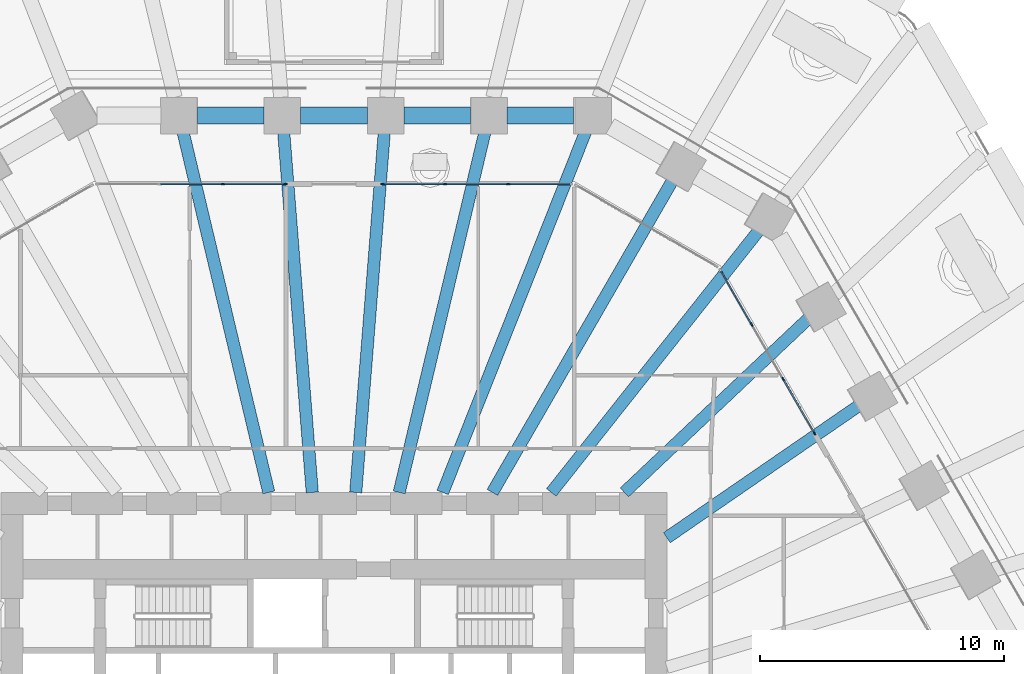
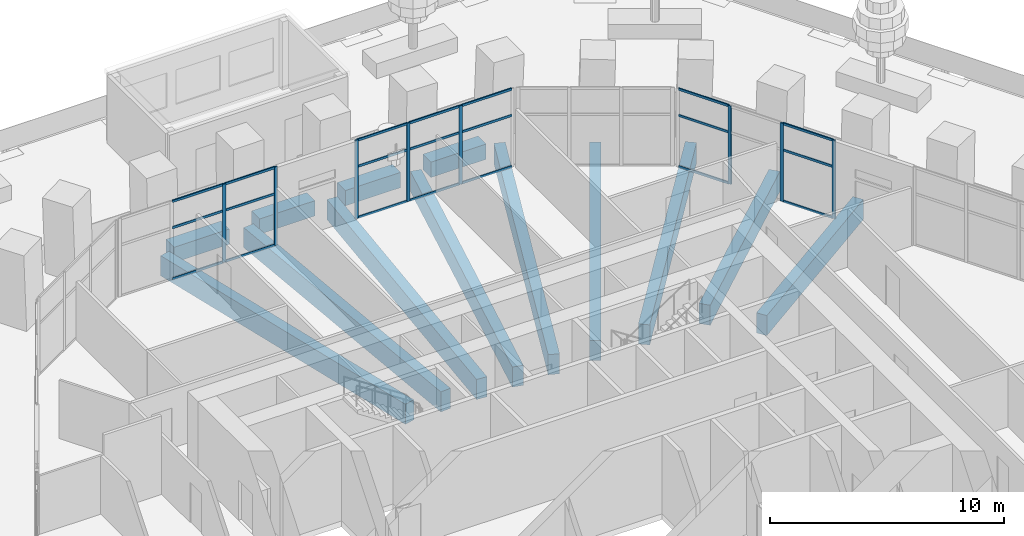
# One storey, part 14 of 32: 29 members, 13 beams, 3 elements without a shape of their own.
"""IFC4 building model written with IfcOpenShell, lengths in metres."""

import ifcopenshell
import ifcopenshell.guid

model = None  # the IFC model being written
_history = None  # IfcOwnerHistory: only IFC2X3 demands one
_inside = {}  # id of a spatial element -> (the spatial element, [elements in it])
_under = {}  # id of a project, library or spatial element -> (it, [spatial elements below it])
_declared = {}  # id of a project -> (the project, [libraries it declares])
_typed = {}  # id of a type object -> (the type object, [elements of that type])
_made_of = {}  # id of a material, layer set ... -> (it, [elements and type objects made of it])


def new_model(schema):
    """Start an empty IFC model of exactly this schema.

    Asked for "IFC4X3", IfcOpenShell would pick the latest addendum, in which some entities
    have other attributes; the version numbers below select the first issue.
    IFC2X3 requires an IfcOwnerHistory on every rooted entity: one is made here for all.
    """
    global model, _history
    if schema == "IFC4X3":
        model = ifcopenshell.file(schema_version=(4, 3, 0, 0))
    else:
        model = ifcopenshell.file(schema=schema)
    _inside.clear()
    _under.clear()
    _declared.clear()
    _typed.clear()
    _made_of.clear()
    _history = None
    if model.schema == "IFC2X3":
        org = make("IfcOrganization", Name="unknown")
        user = make(
            "IfcPersonAndOrganization",
            ThePerson=make("IfcPerson", FamilyName="unknown"),
            TheOrganization=org,
        )
        app = make(
            "IfcApplication",
            ApplicationDeveloper=org,
            Version="unknown",
            ApplicationFullName="unknown",
            ApplicationIdentifier="unknown",
        )
        _history = make(
            "IfcOwnerHistory",
            OwningUser=user,
            OwningApplication=app,
            ChangeAction="ADDED",
            CreationDate=0,
        )
    return model


def make(cls, **values):
    """One entity of the class cls with the attributes given. An attribute that is None is left unset."""
    return model.create_entity(
        cls, **{name: value for name, value in values.items() if value is not None}
    )


def rooted(cls, **values):
    """An entity with a GlobalId (a new one), such as an element, a storey or a relation."""
    return make(cls, GlobalId=ifcopenshell.guid.new(), OwnerHistory=_history, **values)


def si_unit(unit_type, name, prefix=None):
    """IfcSIUnit, for example si_unit("LENGTHUNIT", "METRE", prefix="MILLI")."""
    return make("IfcSIUnit", UnitType=unit_type, Prefix=prefix, Name=name)


def assignment(units):
    """IfcUnitAssignment: the units of a project."""
    return None if units is None else make("IfcUnitAssignment", Units=units)


def point(xyz):
    """IfcCartesianPoint."""
    return None if xyz is None else make("IfcCartesianPoint", Coordinates=xyz)


def direction(xyz):
    """IfcDirection."""
    return None if xyz is None else make("IfcDirection", DirectionRatios=xyz)


def frame(location, z_axis=None, x_axis=None):
    """IfcAxis2Placement3D, a coordinate frame: its origin and axes. An axis left out is left unset."""
    return make(
        "IfcAxis2Placement3D",
        Location=point(location),
        Axis=direction(z_axis),
        RefDirection=direction(x_axis),
    )


def frame_2d(location, x_axis=None):
    """IfcAxis2Placement2D, a coordinate frame in the plane: its origin and x axis."""
    return make(
        "IfcAxis2Placement2D", Location=point(location), RefDirection=direction(x_axis)
    )


def origin():
    """The frame at (0, 0, 0) with its axes left unset."""
    return frame((0.0, 0.0, 0.0))


def origin_2d():
    """The frame at (0, 0) in the plane with its x axis left unset."""
    return frame_2d((0.0, 0.0))


def place(relative_to, where):
    """IfcLocalPlacement: puts the frame where relative to a parent placement (None: the world)."""
    return make(
        "IfcLocalPlacement", PlacementRelTo=relative_to, RelativePlacement=where
    )


def context(
    kind, dimensions, precision=None, world=None, true_north=None, identifier=None
):
    """IfcGeometricRepresentationContext, for example the 3D "Model" context."""
    return make(
        "IfcGeometricRepresentationContext",
        ContextIdentifier=identifier,
        ContextType=kind,
        CoordinateSpaceDimension=dimensions,
        Precision=precision,
        WorldCoordinateSystem=world,
        TrueNorth=true_north,
    )


def subcontext(parent, identifier, kind, view, scale=None):
    """IfcGeometricRepresentationSubContext, for example "Body" below "Model"."""
    return make(
        "IfcGeometricRepresentationSubContext",
        ContextIdentifier=identifier,
        ContextType=kind,
        ParentContext=parent,
        TargetScale=scale,
        TargetView=view,
    )


def project(units=None, contexts=None):
    """IfcProject with its units and contexts."""
    return rooted(
        "IfcProject",
        Name="project",
        RepresentationContexts=contexts,
        UnitsInContext=assignment(units),
    )


def spatial(cls, under=None, at=None, **own):
    """A site, building, storey or space (cls), placed at a placement, below another one or the project."""
    s = rooted(cls, ObjectPlacement=at, **own)
    if under is not None:
        _under.setdefault(under.id(), (under, []))[1].append(s)
    return s


def profile(cls, at=None, kind="AREA", **sizes):
    """A parametric profile (cls). Its sizes go by their IFC names, for example OverallWidth=200.0."""
    return make(cls, ProfileType=kind, Position=at, **sizes)


def rectangle(**sizes):
    """IfcRectangleProfileDef."""
    return profile("IfcRectangleProfileDef", **sizes)


def extrude(swept, where, along, depth):
    """IfcExtrudedAreaSolid: the profile swept, set in the frame where, extruded along a direction by depth."""
    return make(
        "IfcExtrudedAreaSolid",
        SweptArea=swept,
        Position=where,
        ExtrudedDirection=direction(along),
        Depth=depth,
    )


def shape(context_of_items, identifier, shape_type, items):
    """IfcShapeRepresentation: the items that make up one representation, for example the "Body"."""
    return make(
        "IfcShapeRepresentation",
        ContextOfItems=context_of_items,
        RepresentationIdentifier=identifier,
        RepresentationType=shape_type,
        Items=items,
    )


def material(Name=None, Category=None):
    """IfcMaterial."""
    return make("IfcMaterial", Name=Name, Category=Category)


def material_profile(
    of_material, cross_section, Name=None, Category=None, Priority=None
):
    """IfcMaterialProfile: a cross section and its material."""
    return make(
        "IfcMaterialProfile",
        Name=Name,
        Material=of_material,
        Profile=cross_section,
        Priority=Priority,
        Category=Category,
    )


def profile_set(profiles, Name=None, composite=None):
    """IfcMaterialProfileSet."""
    return make(
        "IfcMaterialProfileSet",
        Name=Name,
        MaterialProfiles=profiles,
        CompositeProfile=composite,
    )


def made_of(thing, what):
    """Note that an element or type object is made of a material, layer set ...; save() writes the relation."""
    if what is not None:
        _made_of.setdefault(what.id(), (what, []))[1].append(thing)
    return thing


def type_object(cls, material=None, **own):
    """A type object (cls), such as IfcWallType, which elements share."""
    return made_of(rooted(cls, **own), material)


def element(
    cls,
    number,
    at=None,
    inside=None,
    cuts=None,
    type_object=None,
    material=None,
    context=None,
    identifier="Body",
    shape_type=None,
    held_by="IfcProductDefinitionShape",
    body=None,
    shapes=None,
    **own,
):
    """One element of the class cls, such as IfcWall. Its Tag is "e" and its number.

    at: its placement. inside: the storey or other place that contains it. cuts: it is an
    opening in that element (IfcRelVoidsElement). A single representation is given by context,
    identifier, shape_type and body (its items); several are given by shapes. held_by: the class
    of the entity that holds the representations. save() writes the other relations.
    """
    e = rooted(cls, Tag="e%d" % number, ObjectPlacement=at, **own)
    if body is not None:
        shapes = [shape(context, identifier, shape_type, body)]
    if shapes is not None:
        e.Representation = make(held_by, Representations=shapes)
    if inside is not None:
        _inside.setdefault(inside.id(), (inside, []))[1].append(e)
    if cuts is not None:
        rooted(
            "IfcRelVoidsElement", RelatingBuildingElement=cuts, RelatedOpeningElement=e
        )
    if type_object is not None:
        _typed.setdefault(type_object.id(), (type_object, []))[1].append(e)
    return made_of(e, material)


def aggregate(whole, parts):
    """IfcRelAggregates: a whole, such as a stair, and the parts it consists of."""
    return rooted("IfcRelAggregates", RelatingObject=whole, RelatedObjects=parts)


def save(model, path):
    """Write the relations noted so far, then the file.

    IfcRelAggregates (storeys below a building ...), IfcRelContainedInSpatialStructure (elements
    in a storey), IfcRelDefinesByType, IfcRelAssociatesMaterial and IfcRelDeclares: one each for
    every whole, place, type object, material and project.
    """
    for whole, parts in _under.values():
        aggregate(whole, parts)
    for where, things in _inside.values():
        rooted(
            "IfcRelContainedInSpatialStructure",
            RelatedElements=things,
            RelatingStructure=where,
        )
    for kind, things in _typed.values():
        rooted("IfcRelDefinesByType", RelatedObjects=things, RelatingType=kind)
    for what, things in _made_of.values():
        rooted("IfcRelAssociatesMaterial", RelatedObjects=things, RelatingMaterial=what)
    for by, libraries in _declared.values():
        rooted("IfcRelDeclares", RelatingContext=by, RelatedDefinitions=libraries)
    model.write(path)


model = new_model("IFC4")

# Units and contexts
model_context = context("Model", 3, precision=1e-05, world=origin(), true_north=direction((0.0, 1.0)))
body_context = subcontext(model_context, "Body", "Model", "MODEL_VIEW")
ifc_project = project(units=[si_unit("LENGTHUNIT", "METRE"), si_unit("AREAUNIT", "SQUARE_METRE"), si_unit("VOLUMEUNIT", "CUBIC_METRE"), si_unit("PLANEANGLEUNIT", "RADIAN"), si_unit("MASSUNIT", "GRAM", prefix="KILO")], contexts=[model_context])

# Site, building, storey
site_placement = place(None, origin())
site = spatial("IfcSite", under=ifc_project, at=site_placement, CompositionType="ELEMENT")
building_placement = place(site_placement, origin())
building = spatial("IfcBuilding", under=site, at=building_placement, Name="Frailejon Research Tower", CompositionType="ELEMENT")
storey_placement = place(building_placement, frame((0.0, 0.0, 14.60009765625)))
storey = spatial("IfcBuildingStorey", under=building, at=storey_placement, Name="L03", CompositionType="ELEMENT", Elevation=14.60009765625)

# Curtain wall, members
ifc_material_1 = material(Name="Aluminium curtain wall", Category="aluminium")
curtain_wall_type = type_object("IfcCurtainWallType", Name="Base zone unitised curtain wall system", PredefinedType="NOTDEFINED", material=ifc_material_1)
curtain_wall_1_placement = place(storey_placement, origin())
curtain_wall_1 = element("IfcCurtainWall", 1, at=curtain_wall_1_placement, inside=storey, type_object=curtain_wall_type, Name="Curtain wall L03", PredefinedType="NOTDEFINED")
ifc_material_2 = material(Name="Aluminium extrusion", Category="aluminium")
ifc_material_profile_1 = material_profile(ifc_material_2, rectangle(XDim=0.06005859375, YDim=0.159912109375, at=origin_2d()), Name="Base zone unitised curtain wall mullion 60x160")
ifc_profile_set_1 = profile_set([ifc_material_profile_1], Name="Aluminium extrusion")
member_type_1 = type_object("IfcMemberType", Name="Base zone unitised curtain wall mullion 60x160", PredefinedType="MULLION", material=ifc_profile_set_1)
member_1_placement = place(storey_placement, frame((19.699951171875, 13.678466796875, 0.0), z_axis=(0.0, 0.0, 1.0), x_axis=(-0.866029434533, -0.499993018474, 0.0)))
member_1 = element("IfcMember", 2, at=member_1_placement, type_object=member_type_1, Name="CW3-047 mullion 1", PredefinedType="MULLION", context=body_context, shape_type="SweptSolid", body=[
    extrude(rectangle(XDim=0.06005859375, YDim=0.159912109375, at=origin_2d()), origin(), (0.0, 0.0, 1.0), 4.099853515625),
])
member_2_placement = place(storey_placement, frame((18.421142578125, 15.893798828125, 0.0), z_axis=(0.0, 0.0, 1.0), x_axis=(-0.866029434533, -0.499993018474, 0.0)))
member_2 = element("IfcMember", 3, at=member_2_placement, type_object=member_type_1, Name="CW3-047 mullion 2", PredefinedType="MULLION", context=body_context, shape_type="SweptSolid", body=[
    extrude(rectangle(XDim=0.06005859375, YDim=0.159912109375, at=origin_2d()), origin(), (0.0, 0.0, 1.0), 4.099853515625),
])
member_3_placement = place(storey_placement, frame((17.127197265625, 18.135009765625, 0.0), z_axis=(0.0, 0.0, 1.0), x_axis=(-0.866029434533, -0.499993018474, 0.0)))
member_3 = element("IfcMember", 4, at=member_3_placement, type_object=member_type_1, Name="CW3-047 mullion 3", PredefinedType="MULLION", context=body_context, shape_type="SweptSolid", body=[
    extrude(rectangle(XDim=0.06005859375, YDim=0.159912109375, at=origin_2d()), origin(), (0.0, 0.0, 1.0), 4.099853515625),
])

curtain_wall_2_placement = place(storey_placement, origin())
curtain_wall_2 = element("IfcCurtainWall", 5, at=curtain_wall_2_placement, inside=storey, type_object=curtain_wall_type, Name="Curtain wall L03", PredefinedType="NOTDEFINED")
member_4_placement = place(storey_placement, frame((7.1416015625, 23.89990234375, 0.0), z_axis=(0.0, 0.0, 1.0), x_axis=(0.0, -1.0, 0.0)))
member_4 = element("IfcMember", 6, at=member_4_placement, type_object=member_type_1, Name="CW3-049 mullion 2", PredefinedType="MULLION", context=body_context, shape_type="SweptSolid", body=[
    extrude(rectangle(XDim=0.06005859375, YDim=0.159912109375, at=origin_2d()), origin(), (0.0, 0.0, 1.0), 4.099853515625),
])
member_5_placement = place(storey_placement, frame((4.5537109375, 23.89990234375, 0.0), z_axis=(0.0, 0.0, 1.0), x_axis=(0.0, -1.0, 0.0)))
member_5 = element("IfcMember", 7, at=member_5_placement, type_object=member_type_1, Name="CW3-049 mullion 3", PredefinedType="MULLION", context=body_context, shape_type="SweptSolid", body=[
    extrude(rectangle(XDim=0.06005859375, YDim=0.159912109375, at=origin_2d()), origin(), (0.0, 0.0, 1.0), 4.099853515625),
])
member_6_placement = place(storey_placement, frame((1.995849609375, 23.89990234375, 0.0), z_axis=(0.0, 0.0, 1.0), x_axis=(0.0, -1.0, 0.0)))
member_6 = element("IfcMember", 8, at=member_6_placement, type_object=member_type_1, Name="CW3-049 mullion 4", PredefinedType="MULLION", context=body_context, shape_type="SweptSolid", body=[
    extrude(rectangle(XDim=0.06005859375, YDim=0.159912109375, at=origin_2d()), origin(), (0.0, 0.0, 1.0), 4.099853515625),
])

curtain_wall_3_placement = place(storey_placement, origin())
curtain_wall_3 = element("IfcCurtainWall", 9, at=curtain_wall_3_placement, inside=storey, type_object=curtain_wall_type, Name="Curtain wall L03", PredefinedType="NOTDEFINED")
member_7_placement = place(storey_placement, frame((-1.995849609375, 23.89990234375, 0.0), z_axis=(0.0, 0.0, 1.0), x_axis=(0.0, -1.0, 0.0)))
member_7 = element("IfcMember", 10, at=member_7_placement, type_object=member_type_1, Name="CW3-050 mullion 1", PredefinedType="MULLION", context=body_context, shape_type="SweptSolid", body=[
    extrude(rectangle(XDim=0.06005859375, YDim=0.159912109375, at=origin_2d()), origin(), (0.0, 0.0, 1.0), 4.099853515625),
])
member_8_placement = place(storey_placement, frame((-4.5537109375, 23.89990234375, 0.0), z_axis=(0.0, 0.0, 1.0), x_axis=(0.0, -1.0, 0.0)))
member_8 = element("IfcMember", 11, at=member_8_placement, type_object=member_type_1, Name="CW3-050 mullion 2", PredefinedType="MULLION", context=body_context, shape_type="SweptSolid", body=[
    extrude(rectangle(XDim=0.06005859375, YDim=0.159912109375, at=origin_2d()), origin(), (0.0, 0.0, 1.0), 4.099853515625),
])

# Member
ifc_material_3 = material(Name="Aluminium extrusion", Category="aluminium")
ifc_material_profile_2 = material_profile(ifc_material_3, rectangle(XDim=0.06005859375, YDim=0.1201171875, at=origin_2d()), Name="Base zone unitised curtain wall transom 60x120")
ifc_profile_set_2 = profile_set([ifc_material_profile_2], Name="Aluminium extrusion")
member_type_2 = type_object("IfcMemberType", Name="Base zone unitised curtain wall transom 60x120", PredefinedType="USERDEFINED", material=ifc_profile_set_2)
member_9_placement = place(storey_placement, frame((19.68505859375, 13.704345703125, 0.02978515625), z_axis=(-0.500007276137, 0.866021202864, 0.0), x_axis=(-0.866021202864, -0.500007276137, 0.0)))
member_9 = element("IfcMember", 12, at=member_9_placement, type_object=member_type_2, Name="CW3-047 transom 1.1", ObjectType="TRANSOM", PredefinedType="USERDEFINED", context=body_context, shape_type="SweptSolid", body=[
    extrude(rectangle(XDim=0.06005859375, YDim=0.1201171875, at=origin_2d()), origin(), (0.0, 0.0, 1.0), 2.498046875),
])

member_10_placement = place(storey_placement, frame((19.68505859375, 13.704345703125, 2.699951171875), z_axis=(-0.500007276137, 0.866021202864, 0.0), x_axis=(-0.866021202864, -0.500007276137, 0.0)))
member_10 = element("IfcMember", 13, at=member_10_placement, type_object=member_type_2, Name="CW3-047 transom 1.2", ObjectType="TRANSOM", PredefinedType="USERDEFINED", context=body_context, shape_type="SweptSolid", body=[
    extrude(rectangle(XDim=0.06005859375, YDim=0.1201171875, at=origin_2d()), origin(), (0.0, 0.0, 1.0), 2.498046875),
])

member_11_placement = place(storey_placement, frame((19.68505859375, 13.704345703125, 4.06982421875), z_axis=(-0.500007276137, 0.866021202864, 0.0), x_axis=(-0.866021202864, -0.500007276137, 0.0)))
member_11 = element("IfcMember", 14, at=member_11_placement, type_object=member_type_2, Name="CW3-047 transom 1.3", ObjectType="TRANSOM", PredefinedType="USERDEFINED", context=body_context, shape_type="SweptSolid", body=[
    extrude(rectangle(XDim=0.06005859375, YDim=0.1201171875, at=origin_2d()), origin(), (0.0, 0.0, 1.0), 2.498046875),
])

member_12_placement = place(storey_placement, frame((17.112060546875, 18.160888671875, 0.02978515625), z_axis=(-0.499933970956, 0.866063522315, 0.0), x_axis=(-0.866063522315, -0.499933970956, 0.0)))
member_12 = element("IfcMember", 15, at=member_12_placement, type_object=member_type_2, Name="CW3-047 transom 3.1", ObjectType="TRANSOM", PredefinedType="USERDEFINED", context=body_context, shape_type="SweptSolid", body=[
    extrude(rectangle(XDim=0.06005859375, YDim=0.1201171875, at=origin_2d()), origin(), (0.0, 0.0, 1.0), 2.497802734375),
])

member_13_placement = place(storey_placement, frame((17.112060546875, 18.160888671875, 2.699951171875), z_axis=(-0.499933970956, 0.866063522315, 0.0), x_axis=(-0.866063522315, -0.499933970956, 0.0)))
member_13 = element("IfcMember", 16, at=member_13_placement, type_object=member_type_2, Name="CW3-047 transom 3.2", ObjectType="TRANSOM", PredefinedType="USERDEFINED", context=body_context, shape_type="SweptSolid", body=[
    extrude(rectangle(XDim=0.06005859375, YDim=0.1201171875, at=origin_2d()), origin(), (0.0, 0.0, 1.0), 2.497802734375),
])

member_14_placement = place(storey_placement, frame((17.112060546875, 18.160888671875, 4.06982421875), z_axis=(-0.499933970956, 0.866063522315, 0.0), x_axis=(-0.866063522315, -0.499933970956, 0.0)))
member_14 = element("IfcMember", 17, at=member_14_placement, type_object=member_type_2, Name="CW3-047 transom 3.3", ObjectType="TRANSOM", PredefinedType="USERDEFINED", context=body_context, shape_type="SweptSolid", body=[
    extrude(rectangle(XDim=0.06005859375, YDim=0.1201171875, at=origin_2d()), origin(), (0.0, 0.0, 1.0), 2.497802734375),
])

aggregate(curtain_wall_1, [member_1, member_2, member_3, member_9, member_10, member_11, member_12, member_13, member_14])

member_15_placement = place(storey_placement, frame((9.669677734375, 23.89990234375, 0.02978515625), z_axis=(-1.0, 0.0, 0.0), x_axis=(0.0, -1.0, 0.0)))
member_15 = element("IfcMember", 18, at=member_15_placement, type_object=member_type_2, Name="CW3-049 transom 1.1", ObjectType="TRANSOM", PredefinedType="USERDEFINED", context=body_context, shape_type="SweptSolid", body=[
    extrude(rectangle(XDim=0.06005859375, YDim=0.1201171875, at=origin_2d()), origin(), (0.0, 0.0, 1.0), 2.498046875),
])

member_16_placement = place(storey_placement, frame((9.669677734375, 23.89990234375, 2.699951171875), z_axis=(-1.0, 0.0, 0.0), x_axis=(0.0, -1.0, 0.0)))
member_16 = element("IfcMember", 19, at=member_16_placement, type_object=member_type_2, Name="CW3-049 transom 1.2", ObjectType="TRANSOM", PredefinedType="USERDEFINED", context=body_context, shape_type="SweptSolid", body=[
    extrude(rectangle(XDim=0.06005859375, YDim=0.1201171875, at=origin_2d()), origin(), (0.0, 0.0, 1.0), 2.498046875),
])

member_17_placement = place(storey_placement, frame((9.669677734375, 23.89990234375, 4.06982421875), z_axis=(-1.0, 0.0, 0.0), x_axis=(0.0, -1.0, 0.0)))
member_17 = element("IfcMember", 20, at=member_17_placement, type_object=member_type_2, Name="CW3-049 transom 1.3", ObjectType="TRANSOM", PredefinedType="USERDEFINED", context=body_context, shape_type="SweptSolid", body=[
    extrude(rectangle(XDim=0.06005859375, YDim=0.1201171875, at=origin_2d()), origin(), (0.0, 0.0, 1.0), 2.498046875),
])

member_18_placement = place(storey_placement, frame((7.11181640625, 23.89990234375, 0.02978515625), z_axis=(-1.0, 0.0, 0.0), x_axis=(0.0, -1.0, 0.0)))
member_18 = element("IfcMember", 21, at=member_18_placement, type_object=member_type_2, Name="CW3-049 transom 2.1", ObjectType="TRANSOM", PredefinedType="USERDEFINED", context=body_context, shape_type="SweptSolid", body=[
    extrude(rectangle(XDim=0.06005859375, YDim=0.1201171875, at=origin_2d()), origin(), (0.0, 0.0, 1.0), 2.528076171875),
])

member_19_placement = place(storey_placement, frame((7.11181640625, 23.89990234375, 2.699951171875), z_axis=(-1.0, 0.0, 0.0), x_axis=(0.0, -1.0, 0.0)))
member_19 = element("IfcMember", 22, at=member_19_placement, type_object=member_type_2, Name="CW3-049 transom 2.2", ObjectType="TRANSOM", PredefinedType="USERDEFINED", context=body_context, shape_type="SweptSolid", body=[
    extrude(rectangle(XDim=0.06005859375, YDim=0.1201171875, at=origin_2d()), origin(), (0.0, 0.0, 1.0), 2.528076171875),
])

member_20_placement = place(storey_placement, frame((7.11181640625, 23.89990234375, 4.06982421875), z_axis=(-1.0, 0.0, 0.0), x_axis=(0.0, -1.0, 0.0)))
member_20 = element("IfcMember", 23, at=member_20_placement, type_object=member_type_2, Name="CW3-049 transom 2.3", ObjectType="TRANSOM", PredefinedType="USERDEFINED", context=body_context, shape_type="SweptSolid", body=[
    extrude(rectangle(XDim=0.06005859375, YDim=0.1201171875, at=origin_2d()), origin(), (0.0, 0.0, 1.0), 2.528076171875),
])

member_21_placement = place(storey_placement, frame((4.523681640625, 23.89990234375, 0.02978515625), z_axis=(-1.0, 0.0, 0.0), x_axis=(0.0, -1.0, 0.0)))
member_21 = element("IfcMember", 24, at=member_21_placement, type_object=member_type_2, Name="CW3-049 transom 3.1", ObjectType="TRANSOM", PredefinedType="USERDEFINED", context=body_context, shape_type="SweptSolid", body=[
    extrude(rectangle(XDim=0.06005859375, YDim=0.1201171875, at=origin_2d()), origin(), (0.0, 0.0, 1.0), 2.497802734375),
])

member_22_placement = place(storey_placement, frame((4.523681640625, 23.89990234375, 2.699951171875), z_axis=(-1.0, 0.0, 0.0), x_axis=(0.0, -1.0, 0.0)))
member_22 = element("IfcMember", 25, at=member_22_placement, type_object=member_type_2, Name="CW3-049 transom 3.2", ObjectType="TRANSOM", PredefinedType="USERDEFINED", context=body_context, shape_type="SweptSolid", body=[
    extrude(rectangle(XDim=0.06005859375, YDim=0.1201171875, at=origin_2d()), origin(), (0.0, 0.0, 1.0), 2.497802734375),
])

member_23_placement = place(storey_placement, frame((4.523681640625, 23.89990234375, 4.06982421875), z_axis=(-1.0, 0.0, 0.0), x_axis=(0.0, -1.0, 0.0)))
member_23 = element("IfcMember", 26, at=member_23_placement, type_object=member_type_2, Name="CW3-049 transom 3.3", ObjectType="TRANSOM", PredefinedType="USERDEFINED", context=body_context, shape_type="SweptSolid", body=[
    extrude(rectangle(XDim=0.06005859375, YDim=0.1201171875, at=origin_2d()), origin(), (0.0, 0.0, 1.0), 2.497802734375),
])

aggregate(curtain_wall_2, [member_4, member_5, member_6, member_15, member_16, member_17, member_18, member_19, member_20, member_21, member_22, member_23])

member_24_placement = place(storey_placement, frame((-2.02587890625, 23.89990234375, 0.02978515625), z_axis=(-1.0, 0.0, 0.0), x_axis=(0.0, -1.0, 0.0)))
member_24 = element("IfcMember", 27, at=member_24_placement, type_object=member_type_2, Name="CW3-050 transom 1.1", ObjectType="TRANSOM", PredefinedType="USERDEFINED", context=body_context, shape_type="SweptSolid", body=[
    extrude(rectangle(XDim=0.06005859375, YDim=0.1201171875, at=origin_2d()), origin(), (0.0, 0.0, 1.0), 2.497802734375),
])

member_25_placement = place(storey_placement, frame((-2.02587890625, 23.89990234375, 2.699951171875), z_axis=(-1.0, 0.0, 0.0), x_axis=(0.0, -1.0, 0.0)))
member_25 = element("IfcMember", 28, at=member_25_placement, type_object=member_type_2, Name="CW3-050 transom 1.2", ObjectType="TRANSOM", PredefinedType="USERDEFINED", context=body_context, shape_type="SweptSolid", body=[
    extrude(rectangle(XDim=0.06005859375, YDim=0.1201171875, at=origin_2d()), origin(), (0.0, 0.0, 1.0), 2.497802734375),
])

member_26_placement = place(storey_placement, frame((-2.02587890625, 23.89990234375, 4.06982421875), z_axis=(-1.0, 0.0, 0.0), x_axis=(0.0, -1.0, 0.0)))
member_26 = element("IfcMember", 29, at=member_26_placement, type_object=member_type_2, Name="CW3-050 transom 1.3", ObjectType="TRANSOM", PredefinedType="USERDEFINED", context=body_context, shape_type="SweptSolid", body=[
    extrude(rectangle(XDim=0.06005859375, YDim=0.1201171875, at=origin_2d()), origin(), (0.0, 0.0, 1.0), 2.497802734375),
])

member_27_placement = place(storey_placement, frame((-4.583740234375, 23.89990234375, 0.02978515625), z_axis=(-1.0, 0.0, 0.0), x_axis=(0.0, -1.0, 0.0)))
member_27 = element("IfcMember", 30, at=member_27_placement, type_object=member_type_2, Name="CW3-050 transom 2.1", ObjectType="TRANSOM", PredefinedType="USERDEFINED", context=body_context, shape_type="SweptSolid", body=[
    extrude(rectangle(XDim=0.06005859375, YDim=0.1201171875, at=origin_2d()), origin(), (0.0, 0.0, 1.0), 2.528076171875),
])

member_28_placement = place(storey_placement, frame((-4.583740234375, 23.89990234375, 2.699951171875), z_axis=(-1.0, 0.0, 0.0), x_axis=(0.0, -1.0, 0.0)))
member_28 = element("IfcMember", 31, at=member_28_placement, type_object=member_type_2, Name="CW3-050 transom 2.2", ObjectType="TRANSOM", PredefinedType="USERDEFINED", context=body_context, shape_type="SweptSolid", body=[
    extrude(rectangle(XDim=0.06005859375, YDim=0.1201171875, at=origin_2d()), origin(), (0.0, 0.0, 1.0), 2.528076171875),
])

member_29_placement = place(storey_placement, frame((-4.583740234375, 23.89990234375, 4.06982421875), z_axis=(-1.0, 0.0, 0.0), x_axis=(0.0, -1.0, 0.0)))
member_29 = element("IfcMember", 32, at=member_29_placement, type_object=member_type_2, Name="CW3-050 transom 2.3", ObjectType="TRANSOM", PredefinedType="USERDEFINED", context=body_context, shape_type="SweptSolid", body=[
    extrude(rectangle(XDim=0.06005859375, YDim=0.1201171875, at=origin_2d()), origin(), (0.0, 0.0, 1.0), 2.528076171875),
])

aggregate(curtain_wall_3, [member_7, member_8, member_24, member_25, member_26, member_27, member_28, member_29])

# Beams
ifc_material_4 = material(Name="Concrete C60/75", Category="concrete")
ifc_material_profile_3 = material_profile(ifc_material_4, rectangle(XDim=0.5, YDim=1.050048828125, at=origin_2d()), Name="Girder 500x1050")
ifc_profile_set_3 = profile_set([ifc_material_profile_3], Name="Concrete C60/75")
beam_type_1 = type_object("IfcBeamType", Name="Girder 500x1050", PredefinedType="BEAM", material=ifc_profile_set_3)
beam_1_placement = place(storey_placement, frame((21.568603515625, 14.841064453125, -0.8251953125), z_axis=(-0.823817310549, -0.566855395, 0.0), x_axis=(0.566855395, -0.823817310549, 0.0)))
element("IfcBeam", 33, at=beam_1_placement, inside=storey, type_object=beam_type_1, Name="Girder 500x1050", PredefinedType="BEAM", context=body_context, shape_type="SweptSolid", body=[
    extrude(rectangle(XDim=0.5, YDim=1.050048828125, at=origin_2d()), origin(), (0.0, 0.0, 1.0), 9.6123046875),
])
beam_2_placement = place(storey_placement, frame((19.49755859375, 18.421142578125, -0.8251953125), z_axis=(-0.726882810127, -0.686761516352, 0.0), x_axis=(0.686761516352, -0.726882810127, 0.0)))
element("IfcBeam", 34, at=beam_2_placement, inside=storey, type_object=beam_type_1, Name="Girder 500x1050", PredefinedType="BEAM", context=body_context, shape_type="SweptSolid", body=[
    extrude(rectangle(XDim=0.5, YDim=1.050048828125, at=origin_2d()), origin(), (0.0, 0.0, 1.0), 10.44189453125),
])
beam_3_placement = place(storey_placement, frame((17.455322265625, 22.03564453125, -0.8251953125), z_axis=(-0.620929245893, -0.783866615946, 0.0), x_axis=(0.783866615946, -0.620929245893, 0.0)))
element("IfcBeam", 35, at=beam_3_placement, inside=storey, type_object=beam_type_1, Name="Girder 500x1050", PredefinedType="BEAM", context=body_context, shape_type="SweptSolid", body=[
    extrude(rectangle(XDim=0.5, YDim=1.050048828125, at=origin_2d()), origin(), (0.0, 0.0, 1.0), 13.759521484375),
])
beam_4_placement = place(storey_placement, frame((13.906494140625, 24.086669921875, -0.8251953125), z_axis=(-0.500006178988, -0.866021836315, 0.0), x_axis=(0.866021836315, -0.500006178988, 0.0)))
element("IfcBeam", 36, at=beam_4_placement, inside=storey, type_object=beam_type_1, Name="Girder 500x1050", PredefinedType="BEAM", context=body_context, shape_type="SweptSolid", body=[
    extrude(rectangle(XDim=0.5, YDim=1.050048828125, at=origin_2d()), origin(), (0.0, 0.0, 1.0), 14.822509765625),
])
beam_5_placement = place(storey_placement, frame((10.337890625, 26.089599609375, -0.8251953125), z_axis=(-0.368379832469, -0.929675372929, 0.0), x_axis=(0.929675372929, -0.368379832469, 0.0)))
element("IfcBeam", 37, at=beam_5_placement, inside=storey, type_object=beam_type_1, Name="Girder 500x1050", PredefinedType="BEAM", context=body_context, shape_type="SweptSolid", body=[
    extrude(rectangle(XDim=0.5, YDim=1.050048828125, at=origin_2d()), origin(), (0.0, 0.0, 1.0), 15.962158203125),
])
beam_6_placement = place(storey_placement, frame((6.204345703125, 26.095947265625, -0.8251953125), z_axis=(-0.23129751331, -0.972883066117, 0.0), x_axis=(0.972883066117, -0.23129751331, 0.0)))
element("IfcBeam", 38, at=beam_6_placement, inside=storey, type_object=beam_type_1, Name="Girder 500x1050", PredefinedType="BEAM", context=body_context, shape_type="SweptSolid", body=[
    extrude(rectangle(XDim=0.5, YDim=1.050048828125, at=origin_2d()), origin(), (0.0, 0.0, 1.0), 15.259765625),
])
for number, where, z_axis, x_axis, name in (
    (39, (2.068359375, 26.099609375, -0.8251953125), (-0.078997380142, -0.996874823602, 0.0), (0.996874823602, -0.078997380142, 0.0), "Girder 500x1050"),
    (40, (-2.068359375, 26.099609375, -0.8251953125), (0.078997380142, -0.996874823602, 0.0), (0.996874823602, 0.078997380142, 0.0), "Girder 500x1050"),
):
    element("IfcBeam", number, at=place(storey_placement, frame(where, z_axis=z_axis, x_axis=x_axis)), inside=storey, type_object=beam_type_1, Name=name, PredefinedType="BEAM", context=body_context, shape_type="SweptSolid", body=[
        extrude(rectangle(XDim=0.5, YDim=1.050048828125, at=origin_2d()), origin(), (0.0, 0.0, 1.0), 14.896240234375),
    ])
beam_7_placement = place(storey_placement, frame((-6.204345703125, 26.095947265625, -0.8251953125), z_axis=(0.23129751331, -0.972883066117, 0.0), x_axis=(0.972883066117, 0.23129751331, 0.0)))
element("IfcBeam", 41, at=beam_7_placement, inside=storey, type_object=beam_type_1, Name="Girder 500x1050", PredefinedType="BEAM", context=body_context, shape_type="SweptSolid", body=[
    extrude(rectangle(XDim=0.5, YDim=1.050048828125, at=origin_2d()), origin(), (0.0, 0.0, 1.0), 15.259765625),
])
ifc_material_5 = material(Name="Concrete C60/75", Category="concrete")
ifc_material_profile_4 = material_profile(ifc_material_5, rectangle(XDim=0.699951171875, YDim=0.800048828125, at=origin_2d()), Name="Spandrel 700x800")
ifc_profile_set_4 = profile_set([ifc_material_profile_4], Name="Concrete C60/75")
beam_type_2 = type_object("IfcBeamType", Name="Spandrel 700x800", PredefinedType="BEAM", material=ifc_profile_set_4)
for number, where, z_axis, x_axis, name in (
    (42, (9.829833984375, 26.699951171875, -0.75), (-1.0, 0.0, 0.0), (0.0, -1.0, 0.0), "Spandrel 700x800"),
    (43, (5.597900390625, 26.699951171875, -0.75), (-1.0, 0.0, 0.0), (0.0, -1.0, 0.0), "Spandrel 700x800"),
    (44, (1.365966796875, 26.699951171875, -0.75), (-1.0, 0.0, 0.0), (0.0, -1.0, 0.0), "Spandrel 700x800"),
    (45, (-2.865966796875, 26.699951171875, -0.75), (-1.0, 0.0, 0.0), (0.0, -1.0, 0.0), "Spandrel 700x800"),
):
    element("IfcBeam", number, at=place(storey_placement, frame(where, z_axis=z_axis, x_axis=x_axis)), inside=storey, type_object=beam_type_2, Name=name, PredefinedType="BEAM", context=body_context, shape_type="SweptSolid", body=[
        extrude(rectangle(XDim=0.699951171875, YDim=0.800048828125, at=origin_2d()), origin(), (0.0, 0.0, 1.0), 2.73193359375),
    ])

save(model, "model.ifc")
